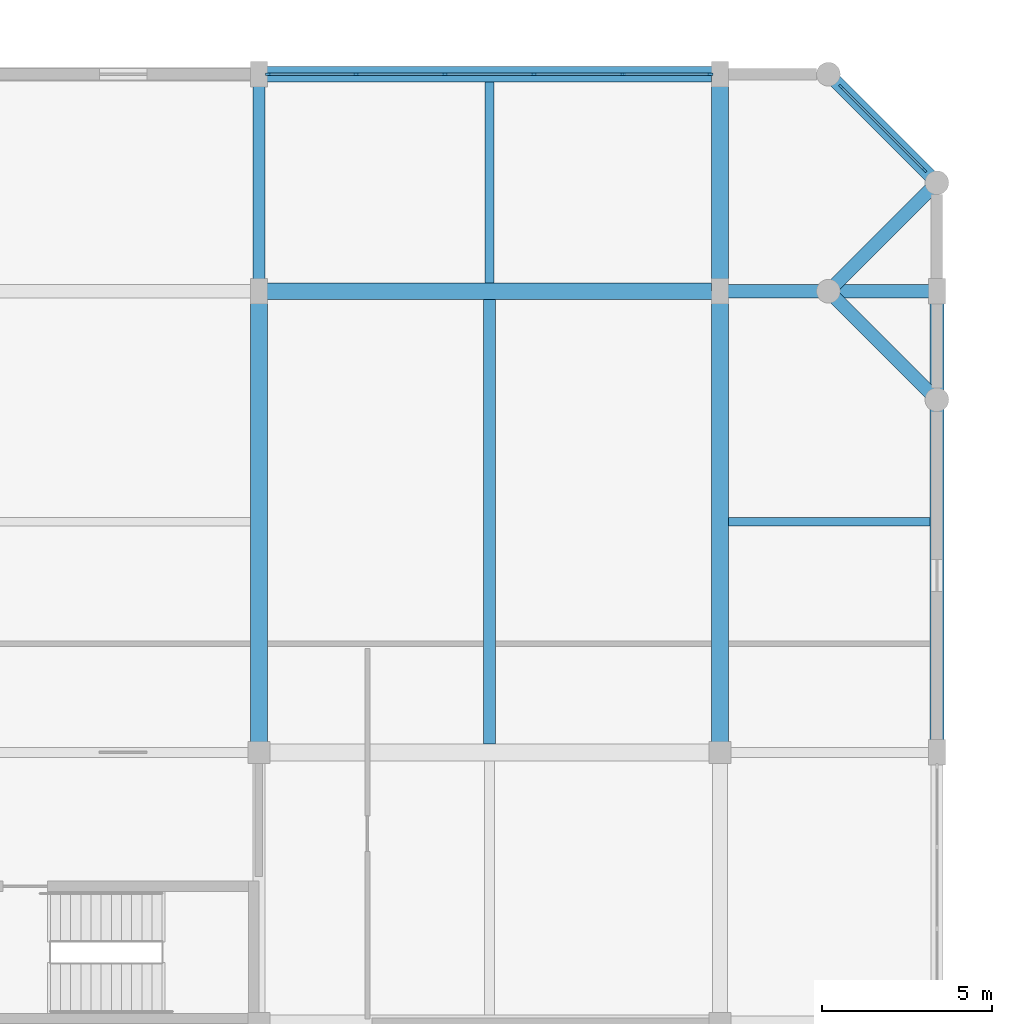
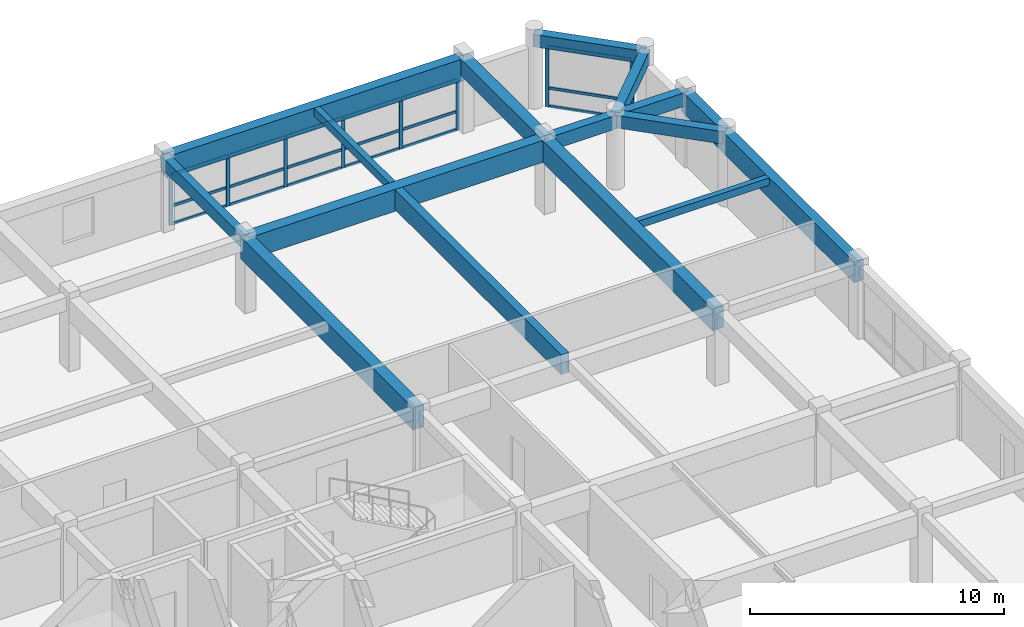
# One storey, part 8 of 13: 26 members, 14 beams, 2 elements without a shape of their own.
"""IFC4 building model written with IfcOpenShell, lengths in metres."""

from ifc_helpers import new_model, si_unit, direction, frame, origin, origin_2d, place, context, subcontext, project, spatial, rectangle, extrude, material, material_profile, profile_set, type_object, element, aggregate, save


model = new_model("IFC4")

# Units and contexts
model_context = context("Model", 3, precision=1e-05, world=origin(), true_north=direction((0.0, 1.0)))
body_context = subcontext(model_context, "Body", "Model", "MODEL_VIEW")
ifc_project = project(units=[si_unit("LENGTHUNIT", "METRE"), si_unit("AREAUNIT", "SQUARE_METRE"), si_unit("VOLUMEUNIT", "CUBIC_METRE"), si_unit("PLANEANGLEUNIT", "RADIAN"), si_unit("MASSUNIT", "GRAM", prefix="KILO")], contexts=[model_context])

# Site, building, storey
site_placement = place(None, origin())
site = spatial("IfcSite", under=ifc_project, at=site_placement, CompositionType="ELEMENT")
building_placement = place(site_placement, origin())
building = spatial("IfcBuilding", under=site, at=building_placement, Name="Vellmiral Cinema and Media Centre", CompositionType="ELEMENT")
storey_placement = place(building_placement, frame((0.0, 0.0, 43.300048828125)))
storey = spatial("IfcBuildingStorey", under=building, at=storey_placement, Name="L10", CompositionType="ELEMENT", Elevation=43.300048828125)

# Beams
ifc_material_1 = material(Name="Concrete C40/50", Category="concrete")
ifc_material_profile_1 = material_profile(ifc_material_1, rectangle(XDim=0.35009765625, YDim=0.60009765625, at=origin_2d()), Name="RC 350x600")
ifc_profile_set_1 = profile_set([ifc_material_profile_1], Name="Concrete C40/50")
beam_type_1 = type_object("IfcBeamType", Name="BM-RC-350x600", PredefinedType="BEAM", material=ifc_profile_set_1)
beam_1_placement = place(storey_placement, frame((148.0, 108.800048828125, 3.195068359375), z_axis=(0.0, 1.0, 0.0), x_axis=(-1.0, 0.0, 0.0)))
element("IfcBeam", 1, at=beam_1_placement, inside=storey, type_object=beam_type_1, Name="Grid Beam L10-Y071", PredefinedType="BEAM", context=body_context, shape_type="SweptSolid", body=[
    extrude(rectangle(XDim=0.35009765625, YDim=0.60009765625, at=origin_2d()), origin(), (0.0, 0.0, 1.0), 6.39990234375),
])
ifc_material_2 = material(Name="Concrete C40/50", Category="concrete")
ifc_material_profile_2 = material_profile(ifc_material_2, rectangle(XDim=0.39990234375, YDim=0.64990234375, at=origin_2d()), Name="RC 400x650")
ifc_profile_set_2 = profile_set([ifc_material_profile_2], Name="Concrete C40/50")
beam_type_2 = type_object("IfcBeamType", Name="BM-RC-400x650", PredefinedType="BEAM", material=ifc_profile_set_2)
beam_2_placement = place(storey_placement, frame((161.60009765625, 108.800048828125, 3.169921875), z_axis=(1.0, 0.0, 0.0), x_axis=(0.0, 1.0, 0.0)))
element("IfcBeam", 2, at=beam_2_placement, inside=storey, type_object=beam_type_2, Name="Grid Beam L10-X036", PredefinedType="BEAM", context=body_context, shape_type="SweptSolid", body=[
    extrude(rectangle(XDim=0.39990234375, YDim=0.64990234375, at=origin_2d()), origin(), (0.0, 0.0, 1.0), 6.39990234375),
])
ifc_material_3 = material(Name="Concrete C40/50", Category="concrete")
ifc_material_profile_3 = material_profile(ifc_material_3, rectangle(XDim=0.5, YDim=0.800048828125, at=origin_2d()), Name="RC 500x800")
ifc_profile_set_3 = profile_set([ifc_material_profile_3], Name="Concrete C40/50")
beam_type_3 = type_object("IfcBeamType", Name="BM-RC-500x800", PredefinedType="BEAM", material=ifc_profile_set_3)
beam_3_placement = place(storey_placement, frame((161.60009765625, 108.800048828125, 3.094970703125), z_axis=(0.0, 1.0, 0.0), x_axis=(-1.0, 0.0, 0.0)))
element("IfcBeam", 3, at=beam_3_placement, inside=storey, type_object=beam_type_3, Name="Grid Beam L10-Y077", PredefinedType="BEAM", context=body_context, shape_type="SweptSolid", body=[
    extrude(rectangle(XDim=0.5, YDim=0.800048828125, at=origin_2d()), origin(), (0.0, 0.0, 1.0), 6.39990234375),
])
ifc_material_4 = material(Name="Concrete C40/50", Category="concrete")
ifc_material_profile_4 = material_profile(ifc_material_4, rectangle(XDim=0.5, YDim=1.050048828125, at=origin_2d()), Name="RC 500x1050")
ifc_profile_set_4 = profile_set([ifc_material_profile_4], Name="Concrete C40/50")
beam_type_4 = type_object("IfcBeamType", Name="BM-RCG-500x1050", PredefinedType="BEAM", material=ifc_profile_set_4)
for number, where, z_axis, x_axis, name in (
    (4, (148.0, 108.800048828125, 2.969970703125), (1.0, 0.0, 0.0), (0.0, 1.0, 0.0), "Grid Beam L10-X035"),
    (5, (148.0, 95.199951171875, 2.969970703125), (0.0, 1.0, 0.0), (-1.0, 0.0, 0.0), "Grid Beam L10-Y070"),
    (6, (161.60009765625, 95.199951171875, 2.969970703125), (0.0, 1.0, 0.0), (-1.0, 0.0, 0.0), "Grid Beam L10-Y076"),
):
    element("IfcBeam", number, at=place(storey_placement, frame(where, z_axis=z_axis, x_axis=x_axis)), inside=storey, type_object=beam_type_4, Name=name, PredefinedType="BEAM", context=body_context, shape_type="SweptSolid", body=[
        extrude(rectangle(XDim=0.5, YDim=1.050048828125, at=origin_2d()), origin(), (0.0, 0.0, 1.0), 13.60009765625),
    ])

# Curtain wall, members
ifc_material_5 = material(Name="Thermally Broken Aluminium and Triple Glazing", Category="aluminium")
curtain_wall_type_1 = type_object("IfcCurtainWallType", Name="CW-TOWER-MID-E", PredefinedType="USERDEFINED", material=ifc_material_5)
curtain_wall_1_placement = place(storey_placement, origin())
curtain_wall_1 = element("IfcCurtainWall", 7, at=curtain_wall_1_placement, inside=storey, type_object=curtain_wall_type_1, Name="Curtain Wall L10-B015", ObjectType="UNITISED CURTAIN WALL", PredefinedType="USERDEFINED")
ifc_material_6 = material(Name="Thermally Broken Anodised Aluminium", Category="aluminium")
ifc_material_profile_5 = material_profile(ifc_material_6, rectangle(XDim=0.06494140625, YDim=0.159912109375, at=origin_2d()), Name="MULL 65x160")
ifc_profile_set_5 = profile_set([ifc_material_profile_5], Name="Thermally Broken Anodised Aluminium")
member_type_1 = type_object("IfcMemberType", Name="CWM-65x160", PredefinedType="MULLION", material=ifc_profile_set_5)
member_1_placement = place(storey_placement, frame((167.626953125, 112.373046875, 0.0), z_axis=(0.0, 0.0, 1.0), x_axis=(-0.707106781187, -0.707106781187, 0.0)))
member_1 = element("IfcMember", 8, at=member_1_placement, type_object=member_type_1, Name="CW-07 mullion 1", PredefinedType="MULLION", context=body_context, shape_type="SweptSolid", body=[
    extrude(rectangle(XDim=0.06494140625, YDim=0.159912109375, at=origin_2d()), origin(), (0.0, 0.0, 1.0), 2.89990234375),
])
member_2_placement = place(storey_placement, frame((165.173095703125, 114.826904296875, 0.0), z_axis=(0.0, 0.0, 1.0), x_axis=(-0.707106781187, -0.707106781187, 0.0)))
member_2 = element("IfcMember", 9, at=member_2_placement, type_object=member_type_1, Name="CW-07 mullion 2", PredefinedType="MULLION", context=body_context, shape_type="SweptSolid", body=[
    extrude(rectangle(XDim=0.06494140625, YDim=0.159912109375, at=origin_2d()), origin(), (0.0, 0.0, 1.0), 2.89990234375),
])

ifc_material_7 = material(Name="Thermally Broken Aluminium and Triple Glazing", Category="aluminium")
curtain_wall_type_2 = type_object("IfcCurtainWallType", Name="CW-TOWER-MID-W", PredefinedType="USERDEFINED", material=ifc_material_7)
curtain_wall_2_placement = place(storey_placement, origin())
curtain_wall_2 = element("IfcCurtainWall", 10, at=curtain_wall_2_placement, inside=storey, type_object=curtain_wall_type_2, Name="Curtain Wall L10-B017", ObjectType="UNITISED CURTAIN WALL", PredefinedType="USERDEFINED")
member_3_placement = place(storey_placement, frame((161.3173828125, 115.199951171875, 0.0), z_axis=(0.0, 0.0, 1.0), x_axis=(0.0, -1.0, 0.0)))
member_3 = element("IfcMember", 11, at=member_3_placement, type_object=member_type_1, Name="CW-08 mullion 1", PredefinedType="MULLION", context=body_context, shape_type="SweptSolid", body=[
    extrude(rectangle(XDim=0.06494140625, YDim=0.159912109375, at=origin_2d()), origin(), (0.0, 0.0, 1.0), 2.43505859375),
])
member_4_placement = place(storey_placement, frame((158.72998046875, 115.199951171875, 0.0), z_axis=(0.0, 0.0, 1.0), x_axis=(0.0, -1.0, 0.0)))
member_4 = element("IfcMember", 12, at=member_4_placement, type_object=member_type_1, Name="CW-08 mullion 2", PredefinedType="MULLION", context=body_context, shape_type="SweptSolid", body=[
    extrude(rectangle(XDim=0.06494140625, YDim=0.159912109375, at=origin_2d()), origin(), (0.0, 0.0, 1.0), 2.43505859375),
])
member_5_placement = place(storey_placement, frame((156.110107421875, 115.199951171875, 0.0), z_axis=(0.0, 0.0, 1.0), x_axis=(0.0, -1.0, 0.0)))
member_5 = element("IfcMember", 13, at=member_5_placement, type_object=member_type_1, Name="CW-08 mullion 3", PredefinedType="MULLION", context=body_context, shape_type="SweptSolid", body=[
    extrude(rectangle(XDim=0.06494140625, YDim=0.159912109375, at=origin_2d()), origin(), (0.0, 0.0, 1.0), 2.43505859375),
])
member_6_placement = place(storey_placement, frame((153.489990234375, 115.199951171875, 0.0), z_axis=(0.0, 0.0, 1.0), x_axis=(0.0, -1.0, 0.0)))
member_6 = element("IfcMember", 14, at=member_6_placement, type_object=member_type_1, Name="CW-08 mullion 4", PredefinedType="MULLION", context=body_context, shape_type="SweptSolid", body=[
    extrude(rectangle(XDim=0.06494140625, YDim=0.159912109375, at=origin_2d()), origin(), (0.0, 0.0, 1.0), 2.43505859375),
])
member_7_placement = place(storey_placement, frame((150.8701171875, 115.199951171875, 0.0), z_axis=(0.0, 0.0, 1.0), x_axis=(0.0, -1.0, 0.0)))
member_7 = element("IfcMember", 15, at=member_7_placement, type_object=member_type_1, Name="CW-08 mullion 5", PredefinedType="MULLION", context=body_context, shape_type="SweptSolid", body=[
    extrude(rectangle(XDim=0.06494140625, YDim=0.159912109375, at=origin_2d()), origin(), (0.0, 0.0, 1.0), 2.43505859375),
])
member_8_placement = place(storey_placement, frame((148.282470703125, 115.199951171875, 0.0), z_axis=(0.0, 0.0, 1.0), x_axis=(0.0, -1.0, 0.0)))
member_8 = element("IfcMember", 16, at=member_8_placement, type_object=member_type_1, Name="CW-08 mullion 6", PredefinedType="MULLION", context=body_context, shape_type="SweptSolid", body=[
    extrude(rectangle(XDim=0.06494140625, YDim=0.159912109375, at=origin_2d()), origin(), (0.0, 0.0, 1.0), 2.43505859375),
])

# Member
ifc_material_8 = material(Name="Thermally Broken Anodised Aluminium", Category="aluminium")
ifc_material_profile_6 = material_profile(ifc_material_8, rectangle(XDim=0.06494140625, YDim=0.135009765625, at=origin_2d()), Name="MULL 65x135")
ifc_profile_set_6 = profile_set([ifc_material_profile_6], Name="Thermally Broken Anodised Aluminium")
member_type_2 = type_object("IfcMemberType", Name="CWT-65x135", PredefinedType="USERDEFINED", material=ifc_profile_set_6)
member_9_placement = place(storey_placement, frame((167.60400390625, 112.39599609375, 0.032470703125), z_axis=(-0.707106781187, 0.707106781187, 0.0), x_axis=(-0.707106781187, -0.707106781187, 0.0)))
member_9 = element("IfcMember", 17, at=member_9_placement, type_object=member_type_2, Name="CW-07 transom 1.1", ObjectType="TRANSOM", PredefinedType="USERDEFINED", context=body_context, shape_type="SweptSolid", body=[
    extrude(rectangle(XDim=0.06494140625, YDim=0.135009765625, at=origin_2d()), origin(), (0.0, 0.0, 1.0), 3.4052734375),
])

member_10_placement = place(storey_placement, frame((167.60400390625, 112.39599609375, 0.89990234375), z_axis=(-0.707106781187, 0.707106781187, 0.0), x_axis=(-0.707106781187, -0.707106781187, 0.0)))
member_10 = element("IfcMember", 18, at=member_10_placement, type_object=member_type_2, Name="CW-07 transom 1.2", ObjectType="TRANSOM", PredefinedType="USERDEFINED", context=body_context, shape_type="SweptSolid", body=[
    extrude(rectangle(XDim=0.06494140625, YDim=0.135009765625, at=origin_2d()), origin(), (0.0, 0.0, 1.0), 3.4052734375),
])

member_11_placement = place(storey_placement, frame((167.60400390625, 112.39599609375, 2.867431640625), z_axis=(-0.707106781187, 0.707106781187, 0.0), x_axis=(-0.707106781187, -0.707106781187, 0.0)))
member_11 = element("IfcMember", 19, at=member_11_placement, type_object=member_type_2, Name="CW-07 transom 1.3", ObjectType="TRANSOM", PredefinedType="USERDEFINED", context=body_context, shape_type="SweptSolid", body=[
    extrude(rectangle(XDim=0.06494140625, YDim=0.135009765625, at=origin_2d()), origin(), (0.0, 0.0, 1.0), 3.4052734375),
])

aggregate(curtain_wall_1, [member_1, member_2, member_9, member_10, member_11])

member_12_placement = place(storey_placement, frame((161.284912109375, 115.199951171875, 0.032470703125), z_axis=(-1.0, 0.0, 0.0), x_axis=(0.0, -1.0, 0.0)))
member_12 = element("IfcMember", 20, at=member_12_placement, type_object=member_type_2, Name="CW-08 transom 1.1", ObjectType="TRANSOM", PredefinedType="USERDEFINED", context=body_context, shape_type="SweptSolid", body=[
    extrude(rectangle(XDim=0.06494140625, YDim=0.135009765625, at=origin_2d()), origin(), (0.0, 0.0, 1.0), 2.5224609375),
])

member_13_placement = place(storey_placement, frame((161.284912109375, 115.199951171875, 0.89990234375), z_axis=(-1.0, 0.0, 0.0), x_axis=(0.0, -1.0, 0.0)))
member_13 = element("IfcMember", 21, at=member_13_placement, type_object=member_type_2, Name="CW-08 transom 1.2", ObjectType="TRANSOM", PredefinedType="USERDEFINED", context=body_context, shape_type="SweptSolid", body=[
    extrude(rectangle(XDim=0.06494140625, YDim=0.135009765625, at=origin_2d()), origin(), (0.0, 0.0, 1.0), 2.5224609375),
])

member_14_placement = place(storey_placement, frame((161.284912109375, 115.199951171875, 2.40234375), z_axis=(-1.0, 0.0, 0.0), x_axis=(0.0, -1.0, 0.0)))
member_14 = element("IfcMember", 22, at=member_14_placement, type_object=member_type_2, Name="CW-08 transom 1.3", ObjectType="TRANSOM", PredefinedType="USERDEFINED", context=body_context, shape_type="SweptSolid", body=[
    extrude(rectangle(XDim=0.06494140625, YDim=0.135009765625, at=origin_2d()), origin(), (0.0, 0.0, 1.0), 2.5224609375),
])

member_15_placement = place(storey_placement, frame((158.697509765625, 115.199951171875, 0.032470703125), z_axis=(-1.0, 0.0, 0.0), x_axis=(0.0, -1.0, 0.0)))
member_15 = element("IfcMember", 23, at=member_15_placement, type_object=member_type_2, Name="CW-08 transom 2.1", ObjectType="TRANSOM", PredefinedType="USERDEFINED", context=body_context, shape_type="SweptSolid", body=[
    extrude(rectangle(XDim=0.06494140625, YDim=0.135009765625, at=origin_2d()), origin(), (0.0, 0.0, 1.0), 2.554931640625),
])

member_16_placement = place(storey_placement, frame((158.697509765625, 115.199951171875, 0.89990234375), z_axis=(-1.0, 0.0, 0.0), x_axis=(0.0, -1.0, 0.0)))
member_16 = element("IfcMember", 24, at=member_16_placement, type_object=member_type_2, Name="CW-08 transom 2.2", ObjectType="TRANSOM", PredefinedType="USERDEFINED", context=body_context, shape_type="SweptSolid", body=[
    extrude(rectangle(XDim=0.06494140625, YDim=0.135009765625, at=origin_2d()), origin(), (0.0, 0.0, 1.0), 2.554931640625),
])

member_17_placement = place(storey_placement, frame((158.697509765625, 115.199951171875, 2.40234375), z_axis=(-1.0, 0.0, 0.0), x_axis=(0.0, -1.0, 0.0)))
member_17 = element("IfcMember", 25, at=member_17_placement, type_object=member_type_2, Name="CW-08 transom 2.3", ObjectType="TRANSOM", PredefinedType="USERDEFINED", context=body_context, shape_type="SweptSolid", body=[
    extrude(rectangle(XDim=0.06494140625, YDim=0.135009765625, at=origin_2d()), origin(), (0.0, 0.0, 1.0), 2.554931640625),
])

member_18_placement = place(storey_placement, frame((156.077392578125, 115.199951171875, 0.032470703125), z_axis=(-1.0, 0.0, 0.0), x_axis=(0.0, -1.0, 0.0)))
member_18 = element("IfcMember", 26, at=member_18_placement, type_object=member_type_2, Name="CW-08 transom 3.1", ObjectType="TRANSOM", PredefinedType="USERDEFINED", context=body_context, shape_type="SweptSolid", body=[
    extrude(rectangle(XDim=0.06494140625, YDim=0.135009765625, at=origin_2d()), origin(), (0.0, 0.0, 1.0), 2.554931640625),
])

member_19_placement = place(storey_placement, frame((156.077392578125, 115.199951171875, 0.89990234375), z_axis=(-1.0, 0.0, 0.0), x_axis=(0.0, -1.0, 0.0)))
member_19 = element("IfcMember", 27, at=member_19_placement, type_object=member_type_2, Name="CW-08 transom 3.2", ObjectType="TRANSOM", PredefinedType="USERDEFINED", context=body_context, shape_type="SweptSolid", body=[
    extrude(rectangle(XDim=0.06494140625, YDim=0.135009765625, at=origin_2d()), origin(), (0.0, 0.0, 1.0), 2.554931640625),
])

member_20_placement = place(storey_placement, frame((156.077392578125, 115.199951171875, 2.40234375), z_axis=(-1.0, 0.0, 0.0), x_axis=(0.0, -1.0, 0.0)))
member_20 = element("IfcMember", 28, at=member_20_placement, type_object=member_type_2, Name="CW-08 transom 3.3", ObjectType="TRANSOM", PredefinedType="USERDEFINED", context=body_context, shape_type="SweptSolid", body=[
    extrude(rectangle(XDim=0.06494140625, YDim=0.135009765625, at=origin_2d()), origin(), (0.0, 0.0, 1.0), 2.554931640625),
])

member_21_placement = place(storey_placement, frame((153.45751953125, 115.199951171875, 0.032470703125), z_axis=(-1.0, 0.0, 0.0), x_axis=(0.0, -1.0, 0.0)))
member_21 = element("IfcMember", 29, at=member_21_placement, type_object=member_type_2, Name="CW-08 transom 4.1", ObjectType="TRANSOM", PredefinedType="USERDEFINED", context=body_context, shape_type="SweptSolid", body=[
    extrude(rectangle(XDim=0.06494140625, YDim=0.135009765625, at=origin_2d()), origin(), (0.0, 0.0, 1.0), 2.554931640625),
])

member_22_placement = place(storey_placement, frame((153.45751953125, 115.199951171875, 0.89990234375), z_axis=(-1.0, 0.0, 0.0), x_axis=(0.0, -1.0, 0.0)))
member_22 = element("IfcMember", 30, at=member_22_placement, type_object=member_type_2, Name="CW-08 transom 4.2", ObjectType="TRANSOM", PredefinedType="USERDEFINED", context=body_context, shape_type="SweptSolid", body=[
    extrude(rectangle(XDim=0.06494140625, YDim=0.135009765625, at=origin_2d()), origin(), (0.0, 0.0, 1.0), 2.554931640625),
])

member_23_placement = place(storey_placement, frame((153.45751953125, 115.199951171875, 2.40234375), z_axis=(-1.0, 0.0, 0.0), x_axis=(0.0, -1.0, 0.0)))
member_23 = element("IfcMember", 31, at=member_23_placement, type_object=member_type_2, Name="CW-08 transom 4.3", ObjectType="TRANSOM", PredefinedType="USERDEFINED", context=body_context, shape_type="SweptSolid", body=[
    extrude(rectangle(XDim=0.06494140625, YDim=0.135009765625, at=origin_2d()), origin(), (0.0, 0.0, 1.0), 2.554931640625),
])

member_24_placement = place(storey_placement, frame((150.83740234375, 115.199951171875, 0.032470703125), z_axis=(-1.0, 0.0, 0.0), x_axis=(0.0, -1.0, 0.0)))
member_24 = element("IfcMember", 32, at=member_24_placement, type_object=member_type_2, Name="CW-08 transom 5.1", ObjectType="TRANSOM", PredefinedType="USERDEFINED", context=body_context, shape_type="SweptSolid", body=[
    extrude(rectangle(XDim=0.06494140625, YDim=0.135009765625, at=origin_2d()), origin(), (0.0, 0.0, 1.0), 2.5224609375),
])

member_25_placement = place(storey_placement, frame((150.83740234375, 115.199951171875, 0.89990234375), z_axis=(-1.0, 0.0, 0.0), x_axis=(0.0, -1.0, 0.0)))
member_25 = element("IfcMember", 33, at=member_25_placement, type_object=member_type_2, Name="CW-08 transom 5.2", ObjectType="TRANSOM", PredefinedType="USERDEFINED", context=body_context, shape_type="SweptSolid", body=[
    extrude(rectangle(XDim=0.06494140625, YDim=0.135009765625, at=origin_2d()), origin(), (0.0, 0.0, 1.0), 2.5224609375),
])

member_26_placement = place(storey_placement, frame((150.83740234375, 115.199951171875, 2.40234375), z_axis=(-1.0, 0.0, 0.0), x_axis=(0.0, -1.0, 0.0)))
member_26 = element("IfcMember", 34, at=member_26_placement, type_object=member_type_2, Name="CW-08 transom 5.3", ObjectType="TRANSOM", PredefinedType="USERDEFINED", context=body_context, shape_type="SweptSolid", body=[
    extrude(rectangle(XDim=0.06494140625, YDim=0.135009765625, at=origin_2d()), origin(), (0.0, 0.0, 1.0), 2.5224609375),
])

aggregate(curtain_wall_2, [member_3, member_4, member_5, member_6, member_7, member_8, member_12, member_13, member_14, member_15, member_16, member_17, member_18, member_19, member_20, member_21, member_22, member_23, member_24, member_25, member_26])

# Beams
ifc_material_9 = material(Name="Concrete C40/50", Category="concrete")
ifc_material_profile_7 = material_profile(ifc_material_9, rectangle(XDim=0.25, YDim=0.35009765625, at=origin_2d()), Name="RC 250x350")
ifc_profile_set_7 = profile_set([ifc_material_profile_7], Name="Concrete C40/50")
beam_type_5 = type_object("IfcBeamType", Name="JST-RC-250x350", PredefinedType="JOIST", material=ifc_profile_set_7)
beam_4_placement = place(storey_placement, frame((161.85009765625, 102.0, 3.320068359375), z_axis=(1.0, 0.0, 0.0), x_axis=(0.0, 1.0, 0.0)))
element("IfcBeam", 35, at=beam_4_placement, inside=storey, type_object=beam_type_5, Name="Secondary Floor Joist L10-011", PredefinedType="JOIST", context=body_context, shape_type="SweptSolid", body=[
    extrude(rectangle(XDim=0.25, YDim=0.35009765625, at=origin_2d()), origin(), (0.0, 0.0, 1.0), 5.93994140625),
])
ifc_material_10 = material(Name="Concrete C40/50", Category="concrete")
ifc_material_profile_8 = material_profile(ifc_material_10, rectangle(XDim=0.260009765625, YDim=0.3798828125, at=origin_2d()), Name="RC 260x380")
ifc_profile_set_8 = profile_set([ifc_material_profile_8], Name="Concrete C40/50")
beam_type_6 = type_object("IfcBeamType", Name="JST-RC-260x380", PredefinedType="JOIST", material=ifc_profile_set_8)
beam_5_placement = place(storey_placement, frame((154.800048828125, 109.050048828125, 3.304931640625), z_axis=(0.0, 1.0, 0.0), x_axis=(-1.0, 0.0, 0.0)))
element("IfcBeam", 36, at=beam_5_placement, inside=storey, type_object=beam_type_6, Name="Secondary Floor Joist L10-010", PredefinedType="JOIST", context=body_context, shape_type="SweptSolid", body=[
    extrude(rectangle(XDim=0.260009765625, YDim=0.3798828125, at=origin_2d()), origin(), (0.0, 0.0, 1.0), 5.925048828125),
])
ifc_material_11 = material(Name="Concrete C40/50", Category="concrete")
ifc_material_profile_9 = material_profile(ifc_material_11, rectangle(XDim=0.35009765625, YDim=0.949951171875, at=origin_2d()), Name="RC 350x950")
ifc_profile_set_9 = profile_set([ifc_material_profile_9], Name="Concrete C40/50")
beam_type_7 = type_object("IfcBeamType", Name="JST-RCG-350x950", PredefinedType="JOIST", material=ifc_profile_set_9)
beam_6_placement = place(storey_placement, frame((154.800048828125, 95.449951171875, 3.02001953125), z_axis=(0.0, 1.0, 0.0), x_axis=(-1.0, 0.0, 0.0)))
element("IfcBeam", 37, at=beam_6_placement, inside=storey, type_object=beam_type_7, Name="Secondary Floor Joist L10-009", PredefinedType="JOIST", context=body_context, shape_type="SweptSolid", body=[
    extrude(rectangle(XDim=0.35009765625, YDim=0.949951171875, at=origin_2d()), origin(), (0.0, 0.0, 1.0), 13.10009765625),
])
ifc_material_12 = material(Name="Concrete C40/50", Category="concrete")
ifc_material_profile_10 = material_profile(ifc_material_12, rectangle(XDim=0.39990234375, YDim=0.60009765625, at=origin_2d()), Name="RC 400x600")
ifc_profile_set_10 = profile_set([ifc_material_profile_10], Name="Concrete C40/50")
beam_type_8 = type_object("IfcBeamType", Name="SPD-RC-400x600", PredefinedType="SPANDREL", material=ifc_profile_set_10)
for number, where, z_axis, x_axis, name in (
    (38, (164.800048828125, 108.800048828125, 3.195068359375), (0.707106781187, -0.707106781187, 0.0), (0.707106781187, 0.707106781187, 0.0), "Xamfra Chamfer Spandrel Beam L10-086"),
    (39, (164.800048828125, 108.800048828125, 3.195068359375), (0.707106781187, 0.707106781187, 0.0), (-0.707106781187, 0.707106781187, 0.0), "Xamfra Chamfer Spandrel Beam L10-087"),
    (40, (164.800048828125, 115.199951171875, 3.195068359375), (0.707106781187, -0.707106781187, 0.0), (0.707106781187, 0.707106781187, 0.0), "Xamfra Chamfer Spandrel Beam L10-088"),
):
    element("IfcBeam", number, at=place(storey_placement, frame(where, z_axis=z_axis, x_axis=x_axis)), inside=storey, type_object=beam_type_8, Name=name, PredefinedType="SPANDREL", context=body_context, shape_type="SweptSolid", body=[
        extrude(rectangle(XDim=0.39990234375, YDim=0.60009765625, at=origin_2d()), origin(), (0.0, 0.0, 1.0), 4.525390625),
    ])
ifc_material_13 = material(Name="Concrete C40/50", Category="concrete")
ifc_material_profile_11 = material_profile(ifc_material_13, rectangle(XDim=0.449951171875, YDim=1.050048828125, at=origin_2d()), Name="RC 450x1050")
ifc_profile_set_11 = profile_set([ifc_material_profile_11], Name="Concrete C40/50")
beam_type_9 = type_object("IfcBeamType", Name="SPD-RCG-450x1050", PredefinedType="SPANDREL", material=ifc_profile_set_11)
beam_7_placement = place(storey_placement, frame((148.0, 115.199951171875, 2.969970703125), z_axis=(1.0, 0.0, 0.0), x_axis=(0.0, 1.0, 0.0)))
element("IfcBeam", 41, at=beam_7_placement, inside=storey, type_object=beam_type_9, Name="Grid Beam L10-X041", PredefinedType="SPANDREL", context=body_context, shape_type="SweptSolid", body=[
    extrude(rectangle(XDim=0.449951171875, YDim=1.050048828125, at=origin_2d()), origin(), (0.0, 0.0, 1.0), 13.60009765625),
])
ifc_material_14 = material(Name="Vosges Red Sandstone Masonry", Category="masonry")
ifc_material_profile_12 = material_profile(ifc_material_14, rectangle(XDim=0.419921875, YDim=1.0, at=origin_2d()), Name="SAND 420x1000")
ifc_profile_set_12 = profile_set([ifc_material_profile_12], Name="Vosges Red Sandstone Masonry")
beam_type_10 = type_object("IfcBeamType", Name="SPD-SANDG-420x1000", PredefinedType="SPANDREL", material=ifc_profile_set_12)
beam_8_placement = place(storey_placement, frame((168.0, 95.199951171875, 2.994873046875), z_axis=(0.0, 1.0, 0.0), x_axis=(-1.0, 0.0, 0.0)))
element("IfcBeam", 42, at=beam_8_placement, inside=storey, type_object=beam_type_10, Name="Grid Beam L10-Y082", PredefinedType="SPANDREL", context=body_context, shape_type="SweptSolid", body=[
    extrude(rectangle(XDim=0.419921875, YDim=1.0, at=origin_2d()), origin(), (0.0, 0.0, 1.0), 13.60009765625),
])

save(model, "model.ifc")
